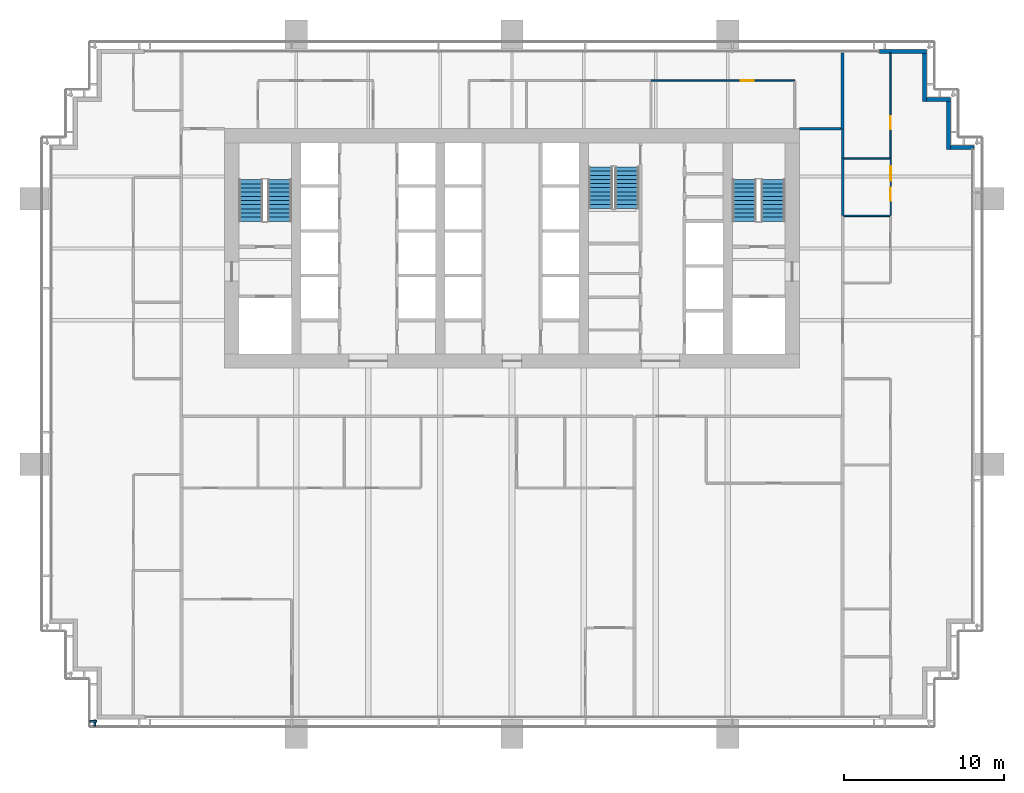
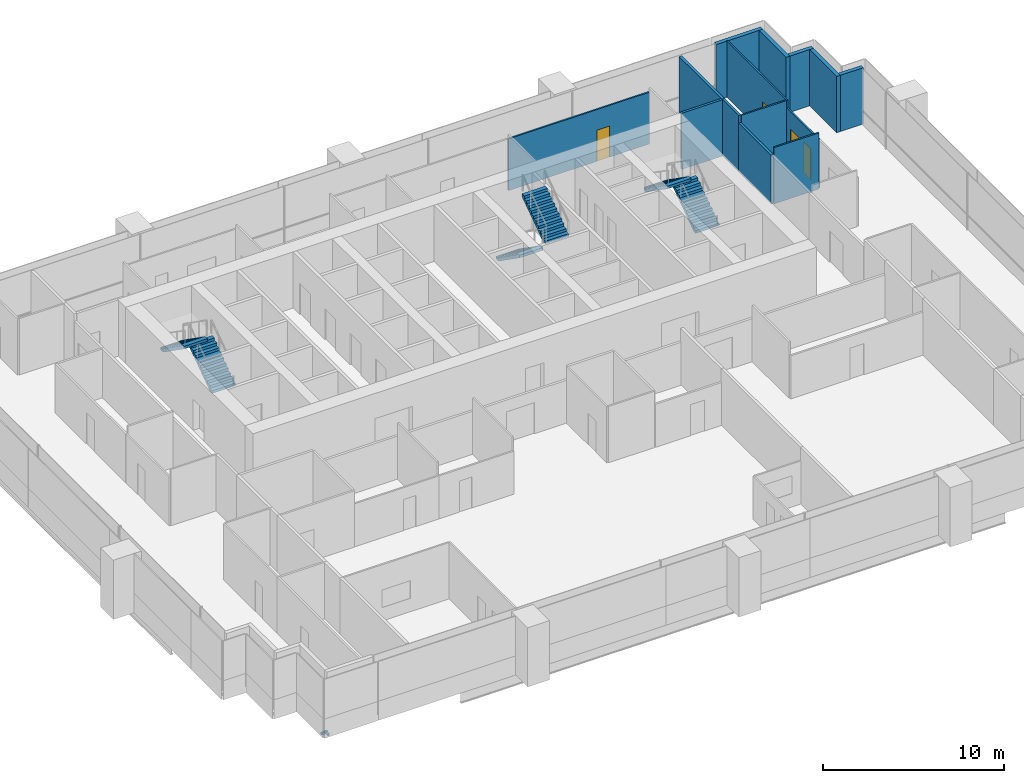
# One storey, part 14 of 18: 14 walls, 6 stair flights, 3 doors, 2 discrete accessories, 1 window, 4 openings, 3 elements without a shape of their own.
"""IFC4 building model written with IfcOpenShell, lengths in metres."""

import ifcopenshell
import ifcopenshell.guid

model = None  # the IFC model being written
_history = None  # IfcOwnerHistory: only IFC2X3 demands one
_inside = {}  # id of a spatial element -> (the spatial element, [elements in it])
_under = {}  # id of a project, library or spatial element -> (it, [spatial elements below it])
_declared = {}  # id of a project -> (the project, [libraries it declares])
_typed = {}  # id of a type object -> (the type object, [elements of that type])
_made_of = {}  # id of a material, layer set ... -> (it, [elements and type objects made of it])


def new_model(schema):
    """Start an empty IFC model of exactly this schema.

    Asked for "IFC4X3", IfcOpenShell would pick the latest addendum, in which some entities
    have other attributes; the version numbers below select the first issue.
    IFC2X3 requires an IfcOwnerHistory on every rooted entity: one is made here for all.
    """
    global model, _history
    if schema == "IFC4X3":
        model = ifcopenshell.file(schema_version=(4, 3, 0, 0))
    else:
        model = ifcopenshell.file(schema=schema)
    _inside.clear()
    _under.clear()
    _declared.clear()
    _typed.clear()
    _made_of.clear()
    _history = None
    if model.schema == "IFC2X3":
        org = make("IfcOrganization", Name="unknown")
        user = make(
            "IfcPersonAndOrganization",
            ThePerson=make("IfcPerson", FamilyName="unknown"),
            TheOrganization=org,
        )
        app = make(
            "IfcApplication",
            ApplicationDeveloper=org,
            Version="unknown",
            ApplicationFullName="unknown",
            ApplicationIdentifier="unknown",
        )
        _history = make(
            "IfcOwnerHistory",
            OwningUser=user,
            OwningApplication=app,
            ChangeAction="ADDED",
            CreationDate=0,
        )
    return model


def make(cls, **values):
    """One entity of the class cls with the attributes given. An attribute that is None is left unset."""
    return model.create_entity(
        cls, **{name: value for name, value in values.items() if value is not None}
    )


def rooted(cls, **values):
    """An entity with a GlobalId (a new one), such as an element, a storey or a relation."""
    return make(cls, GlobalId=ifcopenshell.guid.new(), OwnerHistory=_history, **values)


def si_unit(unit_type, name, prefix=None):
    """IfcSIUnit, for example si_unit("LENGTHUNIT", "METRE", prefix="MILLI")."""
    return make("IfcSIUnit", UnitType=unit_type, Prefix=prefix, Name=name)


def assignment(units):
    """IfcUnitAssignment: the units of a project."""
    return None if units is None else make("IfcUnitAssignment", Units=units)


def point(xyz):
    """IfcCartesianPoint."""
    return None if xyz is None else make("IfcCartesianPoint", Coordinates=xyz)


def direction(xyz):
    """IfcDirection."""
    return None if xyz is None else make("IfcDirection", DirectionRatios=xyz)


def frame(location, z_axis=None, x_axis=None):
    """IfcAxis2Placement3D, a coordinate frame: its origin and axes. An axis left out is left unset."""
    return make(
        "IfcAxis2Placement3D",
        Location=point(location),
        Axis=direction(z_axis),
        RefDirection=direction(x_axis),
    )


def frame_2d(location, x_axis=None):
    """IfcAxis2Placement2D, a coordinate frame in the plane: its origin and x axis."""
    return make(
        "IfcAxis2Placement2D", Location=point(location), RefDirection=direction(x_axis)
    )


def origin():
    """The frame at (0, 0, 0) with its axes left unset."""
    return frame((0.0, 0.0, 0.0))


def origin_2d():
    """The frame at (0, 0) in the plane with its x axis left unset."""
    return frame_2d((0.0, 0.0))


def place(relative_to, where):
    """IfcLocalPlacement: puts the frame where relative to a parent placement (None: the world)."""
    return make(
        "IfcLocalPlacement", PlacementRelTo=relative_to, RelativePlacement=where
    )


def context(
    kind, dimensions, precision=None, world=None, true_north=None, identifier=None
):
    """IfcGeometricRepresentationContext, for example the 3D "Model" context."""
    return make(
        "IfcGeometricRepresentationContext",
        ContextIdentifier=identifier,
        ContextType=kind,
        CoordinateSpaceDimension=dimensions,
        Precision=precision,
        WorldCoordinateSystem=world,
        TrueNorth=true_north,
    )


def subcontext(parent, identifier, kind, view, scale=None):
    """IfcGeometricRepresentationSubContext, for example "Body" below "Model"."""
    return make(
        "IfcGeometricRepresentationSubContext",
        ContextIdentifier=identifier,
        ContextType=kind,
        ParentContext=parent,
        TargetScale=scale,
        TargetView=view,
    )


def project(units=None, contexts=None):
    """IfcProject with its units and contexts."""
    return rooted(
        "IfcProject",
        Name="project",
        RepresentationContexts=contexts,
        UnitsInContext=assignment(units),
    )


def spatial(cls, under=None, at=None, **own):
    """A site, building, storey or space (cls), placed at a placement, below another one or the project."""
    s = rooted(cls, ObjectPlacement=at, **own)
    if under is not None:
        _under.setdefault(under.id(), (under, []))[1].append(s)
    return s


def polyline(points):
    """IfcPolyline through the points."""
    return make("IfcPolyline", Points=[point(p) for p in points])


def profile(cls, at=None, kind="AREA", **sizes):
    """A parametric profile (cls). Its sizes go by their IFC names, for example OverallWidth=200.0."""
    return make(cls, ProfileType=kind, Position=at, **sizes)


def rectangle(**sizes):
    """IfcRectangleProfileDef."""
    return profile("IfcRectangleProfileDef", **sizes)


def outline(outer, holes=None, kind="AREA"):
    """IfcArbitraryClosedProfileDef: a profile drawn as a closed curve; with holes, ...WithVoids."""
    if holes is None:
        return make("IfcArbitraryClosedProfileDef", ProfileType=kind, OuterCurve=outer)
    return make(
        "IfcArbitraryProfileDefWithVoids",
        ProfileType=kind,
        OuterCurve=outer,
        InnerCurves=holes,
    )


def extrude(swept, where, along, depth):
    """IfcExtrudedAreaSolid: the profile swept, set in the frame where, extruded along a direction by depth."""
    return make(
        "IfcExtrudedAreaSolid",
        SweptArea=swept,
        Position=where,
        ExtrudedDirection=direction(along),
        Depth=depth,
    )


def shape(context_of_items, identifier, shape_type, items):
    """IfcShapeRepresentation: the items that make up one representation, for example the "Body"."""
    return make(
        "IfcShapeRepresentation",
        ContextOfItems=context_of_items,
        RepresentationIdentifier=identifier,
        RepresentationType=shape_type,
        Items=items,
    )


def material(Name=None, Category=None):
    """IfcMaterial."""
    return make("IfcMaterial", Name=Name, Category=Category)


def layer(
    of_material, thickness, ventilated=None, Name=None, Category=None, Priority=None
):
    """IfcMaterialLayer: one layer of a wall or slab, of a material (None: an air gap)."""
    return make(
        "IfcMaterialLayer",
        Material=of_material,
        LayerThickness=thickness,
        IsVentilated=ventilated,
        Name=Name,
        Category=Category,
        Priority=Priority,
    )


def layer_set(layers, Name=None):
    """IfcMaterialLayerSet."""
    return make("IfcMaterialLayerSet", MaterialLayers=layers, LayerSetName=Name)


def made_of(thing, what):
    """Note that an element or type object is made of a material, layer set ...; save() writes the relation."""
    if what is not None:
        _made_of.setdefault(what.id(), (what, []))[1].append(thing)
    return thing


def type_object(cls, material=None, **own):
    """A type object (cls), such as IfcWallType, which elements share."""
    return made_of(rooted(cls, **own), material)


def element(
    cls,
    number,
    at=None,
    inside=None,
    cuts=None,
    type_object=None,
    material=None,
    context=None,
    identifier="Body",
    shape_type=None,
    held_by="IfcProductDefinitionShape",
    body=None,
    shapes=None,
    **own,
):
    """One element of the class cls, such as IfcWall. Its Tag is "e" and its number.

    at: its placement. inside: the storey or other place that contains it. cuts: it is an
    opening in that element (IfcRelVoidsElement). A single representation is given by context,
    identifier, shape_type and body (its items); several are given by shapes. held_by: the class
    of the entity that holds the representations. save() writes the other relations.
    """
    e = rooted(cls, Tag="e%d" % number, ObjectPlacement=at, **own)
    if body is not None:
        shapes = [shape(context, identifier, shape_type, body)]
    if shapes is not None:
        e.Representation = make(held_by, Representations=shapes)
    if inside is not None:
        _inside.setdefault(inside.id(), (inside, []))[1].append(e)
    if cuts is not None:
        rooted(
            "IfcRelVoidsElement", RelatingBuildingElement=cuts, RelatedOpeningElement=e
        )
    if type_object is not None:
        _typed.setdefault(type_object.id(), (type_object, []))[1].append(e)
    return made_of(e, material)


def fill(opening, filler):
    """IfcRelFillsElement: the door or window that sits in an opening."""
    return rooted(
        "IfcRelFillsElement",
        RelatingOpeningElement=opening,
        RelatedBuildingElement=filler,
    )


def aggregate(whole, parts):
    """IfcRelAggregates: a whole, such as a stair, and the parts it consists of."""
    return rooted("IfcRelAggregates", RelatingObject=whole, RelatedObjects=parts)


def save(model, path):
    """Write the relations noted so far, then the file.

    IfcRelAggregates (storeys below a building ...), IfcRelContainedInSpatialStructure (elements
    in a storey), IfcRelDefinesByType, IfcRelAssociatesMaterial and IfcRelDeclares: one each for
    every whole, place, type object, material and project.
    """
    for whole, parts in _under.values():
        aggregate(whole, parts)
    for where, things in _inside.values():
        rooted(
            "IfcRelContainedInSpatialStructure",
            RelatedElements=things,
            RelatingStructure=where,
        )
    for kind, things in _typed.values():
        rooted("IfcRelDefinesByType", RelatedObjects=things, RelatingType=kind)
    for what, things in _made_of.values():
        rooted("IfcRelAssociatesMaterial", RelatedObjects=things, RelatingMaterial=what)
    for by, libraries in _declared.values():
        rooted("IfcRelDeclares", RelatingContext=by, RelatedDefinitions=libraries)
    model.write(path)


model = new_model("IFC4")

# Units and contexts
model_context = context("Model", 3, precision=1e-05, world=origin(), true_north=direction((0.0, 1.0)))
body_context = subcontext(model_context, "Body", "Model", "MODEL_VIEW")
ifc_project = project(units=[si_unit("LENGTHUNIT", "METRE"), si_unit("AREAUNIT", "SQUARE_METRE"), si_unit("VOLUMEUNIT", "CUBIC_METRE"), si_unit("PLANEANGLEUNIT", "RADIAN"), si_unit("MASSUNIT", "GRAM", prefix="KILO")], contexts=[model_context])

# Site, building, storey
site_placement = place(None, origin())
site = spatial("IfcSite", under=ifc_project, at=site_placement, CompositionType="ELEMENT")
building_placement = place(site_placement, origin())
building = spatial("IfcBuilding", under=site, at=building_placement, Name="Rattan Terrace Tower", CompositionType="ELEMENT")
storey_placement = place(building_placement, frame((0.0, 0.0, 134.10009765625)))
storey = spatial("IfcBuildingStorey", under=building, at=storey_placement, Name="L30", CompositionType="ELEMENT", Elevation=134.10009765625)

# Walls
ifc_material_1 = material(Name="Insulated aluminium-clad stud wall", Category="aluminium")
ifc_layer_1 = layer(ifc_material_1, 0.25)
ifc_layer_set_1 = layer_set([ifc_layer_1], Name="Facade Riser Wall 250")
wall_type_1 = type_object("IfcWallType", Name="Facade Riser Wall 250", PredefinedType="SOLIDWALL", material=ifc_layer_set_1)
wall_1_placement = place(storey_placement, frame((28.909912109375, 6.330078125, 0.0), z_axis=(0.0, 0.0, 1.0), x_axis=(-1.0, 0.0, 0.0)))
element("IfcWall", 1, at=wall_1_placement, inside=storey, type_object=wall_type_1, Name="Riser wall L30-6", PredefinedType="SOLIDWALL", context=body_context, shape_type="SweptSolid", body=[
    extrude(rectangle(XDim=1.454833984375, YDim=0.25, at=frame_2d((0.7275390625, 0.0))), origin(), (0.0, 0.0, 1.0), 3.7998046875),
])
wall_2_placement = place(storey_placement, frame((27.330078125, 6.205078125, 0.0), z_axis=(0.0, 0.0, 1.0), x_axis=(0.0, 1.0, 0.0)))
element("IfcWall", 2, at=wall_2_placement, inside=storey, type_object=wall_type_1, Name="Riser wall L30-7", PredefinedType="SOLIDWALL", context=body_context, shape_type="SweptSolid", body=[
    extrude(rectangle(XDim=3.0, YDim=0.25, at=frame_2d((1.5, 0.0))), origin(), (0.0, 0.0, 1.0), 3.7998046875),
])
wall_3_placement = place(storey_placement, frame((27.455078125, 9.330078125, 0.0), z_axis=(0.0, 0.0, 1.0), x_axis=(-1.0, 0.0, 0.0)))
element("IfcWall", 3, at=wall_3_placement, inside=storey, type_object=wall_type_1, Name="Riser wall L30-8", PredefinedType="SOLIDWALL", context=body_context, shape_type="SweptSolid", body=[
    extrude(rectangle(XDim=1.5, YDim=0.25, at=frame_2d((0.75, 0.0))), origin(), (0.0, 0.0, 1.0), 3.7998046875),
])
wall_4_placement = place(storey_placement, frame((25.830078125, 9.205078125, 0.0), z_axis=(0.0, 0.0, 1.0), x_axis=(0.0, 1.0, 0.0)))
element("IfcWall", 4, at=wall_4_placement, inside=storey, type_object=wall_type_1, Name="Riser wall L30-9", PredefinedType="SOLIDWALL", context=body_context, shape_type="SweptSolid", body=[
    extrude(rectangle(XDim=3.0, YDim=0.25, at=frame_2d((1.5, 0.0))), origin(), (0.0, 0.0, 1.0), 3.7998046875),
])
wall_5_placement = place(storey_placement, frame((25.955078125, 12.330078125, 0.0), z_axis=(0.0, 0.0, 1.0), x_axis=(-1.0, 0.0, 0.0)))
element("IfcWall", 5, at=wall_5_placement, inside=storey, type_object=wall_type_1, Name="Riser wall L30-10", PredefinedType="SOLIDWALL", context=body_context, shape_type="SweptSolid", body=[
    extrude(rectangle(XDim=2.955078125, YDim=0.25, at=frame_2d((1.4775390625, 0.0))), origin(), (0.0, 0.0, 1.0), 3.7998046875),
])
ifc_material_2 = material(Name="Double steel stud acoustic partition, gypsum board, mineral wool, fire rated", Category="steel")
ifc_layer_2 = layer(ifc_material_2, 0.179931640625)
ifc_layer_set_2 = layer_set([ifc_layer_2], Name="Floors Acoustic Party Wall 180")
wall_type_2 = type_object("IfcWallType", Name="Floors Acoustic Party Wall 180", PredefinedType="PARTITIONING", material=ifc_layer_set_2)
wall_6_placement = place(storey_placement, frame((20.699951171875, 7.47998046875, 0.0), z_axis=(0.0, 0.0, 1.0), x_axis=(0.0, 1.0, 0.0)))
element("IfcWall", 6, at=wall_6_placement, inside=storey, type_object=wall_type_2, Name="pt-L30-076", PredefinedType="PARTITIONING", context=body_context, shape_type="SweptSolid", body=[
    extrude(rectangle(XDim=4.760009765625, YDim=0.179931640625, at=frame_2d((2.3798828125, 0.0))), origin(), (0.0, 0.0, 1.0), 3.7998046875),
])

# Wall, openings, door, window
ifc_material_3 = material(Name="Gypsum board partition on steel studs", Category="steel")
ifc_layer_3 = layer(ifc_material_3, 0.10009765625)
ifc_layer_set_3 = layer_set([ifc_layer_3], Name="Floors Partition 100")
wall_type_3 = type_object("IfcWallType", Name="Floors Partition 100", PredefinedType="PARTITIONING", material=ifc_layer_set_3)
wall_7_placement = place(storey_placement, frame((23.699951171875, 2.06005859375, 0.0), z_axis=(0.0, 0.0, 1.0), x_axis=(0.0, 1.0, 0.0)))
wall_7 = element("IfcWall", 7, at=wall_7_placement, inside=storey, type_object=wall_type_3, Name="pt-L30-069", PredefinedType="PARTITIONING", context=body_context, shape_type="SweptSolid", body=[
    extrude(rectangle(XDim=3.56005859375, YDim=0.10009765625, at=frame_2d((1.780029296875, 0.0))), origin(), (0.0, 0.0, 1.0), 3.2998046875),
])
opening_1_placement = place(wall_7_placement, frame((0.927978515625, 0.0, 0.0)))
opening_1 = element("IfcOpeningElement", 8, at=opening_1_placement, cuts=wall_7, Name="Opening L30-D122", PredefinedType="OPENING", context=body_context, shape_type="SweptSolid", body=[
    extrude(rectangle(XDim=0.800048828125, YDim=2.10009765625, at=frame_2d((0.39990234375, 1.050048828125))), frame((0.0, 0.060546875, 0.0), z_axis=(0.0, -1.0, 0.0), x_axis=(1.0, 0.0, 0.0)), (0.0, 0.0, 1.0), 0.12109375),
])
opening_2_placement = place(wall_7_placement, frame((2.178955078125, 0.0, 0.89990234375)))
opening_2 = element("IfcOpeningElement", 9, at=opening_2_placement, cuts=wall_7, Name="Opening L30-W104", PredefinedType="OPENING", context=body_context, shape_type="SweptSolid", body=[
    extrude(rectangle(XDim=0.89990234375, YDim=1.199951171875, at=frame_2d((0.449951171875, 0.60009765625))), frame((0.0, 0.060546875, 0.0), z_axis=(0.0, -1.0, 0.0), x_axis=(1.0, 0.0, 0.0)), (0.0, 0.0, 1.0), 0.12109375),
])
ifc_material_4 = material(Name="Solid core timber door, painted", Category="wood")
door_type = type_object("IfcDoorType", Name="Floors Store Door 800x2100", OperationType="NOTDEFINED", PredefinedType="DOOR", material=ifc_material_4)
door_1_placement = place(opening_1_placement, origin())
door_1 = element("IfcDoor", 10, at=door_1_placement, inside=storey, type_object=door_type, Name="d-L30-122", OperationType="SINGLE_SWING_LEFT", OverallHeight=2.10009765625, OverallWidth=0.800048828125, PredefinedType="DOOR", context=body_context, shape_type="SweptSolid", body=[
    extrude(rectangle(XDim=0.800048828125, YDim=2.10009765625, at=frame_2d((0.39990234375, 1.050048828125))), frame((0.0, 0.02490234375, 0.0), z_axis=(0.0, -1.0, 0.0), x_axis=(1.0, 0.0, 0.0)), (0.0, 0.0, 1.0), 0.050048828125),
])
fill(opening_1, door_1)
ifc_material_5 = material(Name="Glass, clear, fixed in aluminium frame", Category="aluminium")
window_type = type_object("IfcWindowType", Name="Interior Vision Window 900x1200", PartitioningType="SINGLE_PANEL", PredefinedType="WINDOW", material=ifc_material_5)
window_placement = place(opening_2_placement, origin())
window = element("IfcWindow", 11, at=window_placement, inside=storey, type_object=window_type, Name="w-L30-104", OverallHeight=1.199951171875, OverallWidth=0.89990234375, PartitioningType="SINGLE_PANEL", PredefinedType="WINDOW", context=body_context, shape_type="SweptSolid", body=[
    extrude(rectangle(XDim=0.89990234375, YDim=1.199951171875, at=frame_2d((0.449951171875, 0.60009765625))), frame((0.0, 0.030029296875, 0.0), z_axis=(0.0, -1.0, 0.0), x_axis=(1.0, 0.0, 0.0)), (0.0, 0.0, 1.0), 0.06005859375),
])
fill(opening_2, window)

# Wall, opening, door
wall_8_placement = place(storey_placement, frame((23.699951171875, 5.6201171875, 0.0), z_axis=(0.0, 0.0, 1.0), x_axis=(0.0, 1.0, 0.0)))
wall_8 = element("IfcWall", 12, at=wall_8_placement, inside=storey, type_object=wall_type_3, Name="pt-L30-070", PredefinedType="PARTITIONING", context=body_context, shape_type="SweptSolid", body=[
    extrude(rectangle(XDim=6.619873046875, YDim=0.10009765625, at=frame_2d((3.31005859375, 0.0))), origin(), (0.0, 0.0, 1.0), 3.7998046875),
])
opening_3_placement = place(wall_8_placement, frame((1.845947265625, 0.0, 0.0)))
opening_3 = element("IfcOpeningElement", 13, at=opening_3_placement, cuts=wall_8, Name="Opening L30-D123", PredefinedType="OPENING", context=body_context, shape_type="SweptSolid", body=[
    extrude(rectangle(XDim=0.800048828125, YDim=2.10009765625, at=frame_2d((0.39990234375, 1.050048828125))), frame((0.0, 0.060546875, 0.0), z_axis=(0.0, -1.0, 0.0), x_axis=(1.0, 0.0, 0.0)), (0.0, 0.0, 1.0), 0.12109375),
])
door_2_placement = place(opening_3_placement, origin())
door_2 = element("IfcDoor", 14, at=door_2_placement, inside=storey, type_object=door_type, Name="d-L30-123", OperationType="SINGLE_SWING_LEFT", OverallHeight=2.10009765625, OverallWidth=0.800048828125, PredefinedType="DOOR", context=body_context, shape_type="SweptSolid", body=[
    extrude(rectangle(XDim=0.800048828125, YDim=2.10009765625, at=frame_2d((0.39990234375, 1.050048828125))), frame((0.0, 0.02490234375, 0.0), z_axis=(0.0, -1.0, 0.0), x_axis=(1.0, 0.0, 0.0)), (0.0, 0.0, 1.0), 0.050048828125),
])
fill(opening_3, door_2)

# Walls
for number, where, z_axis, x_axis, name in (
    (15, (20.77490234375, 2.0400390625, 0.0), (0.0, 0.0, 1.0), (1.0, 0.0, 0.0), "pt-L30-074"),
    (16, (20.77490234375, 5.639892578125, 0.0), (0.0, 0.0, 1.0), (1.0, 0.0, 0.0), "pt-L30-075"),
):
    element("IfcWall", number, at=place(storey_placement, frame(where, z_axis=z_axis, x_axis=x_axis)), inside=storey, type_object=wall_type_3, Name=name, PredefinedType="PARTITIONING", context=body_context, shape_type="SweptSolid", body=[
        extrude(rectangle(XDim=2.875, YDim=0.10009765625, at=frame_2d((1.4375, 0.0))), origin(), (0.0, 0.0, 1.0), 3.7998046875),
    ])

# Wall, opening, door
wall_9_placement = place(storey_placement, frame((17.699951171875, 10.5, 0.0), z_axis=(0.0, 0.0, 1.0), x_axis=(-1.0, 0.0, 0.0)))
wall_9 = element("IfcWall", 17, at=wall_9_placement, inside=storey, type_object=wall_type_3, Name="pt-L30-083", PredefinedType="PARTITIONING", context=body_context, shape_type="SweptSolid", body=[
    extrude(rectangle(XDim=9.02001953125, YDim=0.10009765625, at=frame_2d((4.510009765625, 0.0))), origin(), (0.0, 0.0, 1.0), 3.5),
])
opening_4_placement = place(wall_9_placement, frame((2.56591796875, 0.0, 0.0)))
opening_4 = element("IfcOpeningElement", 18, at=opening_4_placement, cuts=wall_9, Name="Opening L30-D128", PredefinedType="OPENING", context=body_context, shape_type="SweptSolid", body=[
    extrude(rectangle(XDim=0.800048828125, YDim=2.10009765625, at=frame_2d((0.39990234375, 1.050048828125))), frame((0.0, 0.060546875, 0.0), z_axis=(0.0, -1.0, 0.0), x_axis=(1.0, 0.0, 0.0)), (0.0, 0.0, 1.0), 0.12109375),
])
door_3_placement = place(opening_4_placement, origin())
door_3 = element("IfcDoor", 19, at=door_3_placement, inside=storey, type_object=door_type, Name="d-L30-128", OperationType="SINGLE_SWING_LEFT", OverallHeight=2.10009765625, OverallWidth=0.800048828125, PredefinedType="DOOR", context=body_context, shape_type="SweptSolid", body=[
    extrude(rectangle(XDim=0.800048828125, YDim=2.10009765625, at=frame_2d((0.39990234375, 1.050048828125))), frame((0.0, 0.02490234375, 0.0), z_axis=(0.0, -1.0, 0.0), x_axis=(1.0, 0.0, 0.0)), (0.0, 0.0, 1.0), 0.050048828125),
])
fill(opening_4, door_3)

# Walls
ifc_material_6 = material(Name="Gypsum board partition on steel studs, fire rated", Category="steel")
ifc_layer_4 = layer(ifc_material_6, 0.14990234375)
ifc_layer_set_4 = layer_set([ifc_layer_4], Name="Floors Tenancy Wall 150")
wall_type_4 = type_object("IfcWallType", Name="Floors Tenancy Wall 150", PredefinedType="PARTITIONING", material=ifc_layer_set_4)
wall_10_placement = place(storey_placement, frame((20.699951171875, 5.659912109375, 0.0), z_axis=(0.0, 0.0, 1.0), x_axis=(0.0, -1.0, 0.0)))
element("IfcWall", 20, at=wall_10_placement, inside=storey, type_object=wall_type_4, Name="pt-L30-016", PredefinedType="PARTITIONING", context=body_context, shape_type="SweptSolid", body=[
    extrude(rectangle(XDim=3.599853515625, YDim=0.14990234375, at=frame_2d((1.7998046875, 0.0))), origin(), (0.0, 0.0, 1.0), 3.2998046875),
])
wall_11_placement = place(storey_placement, frame((20.700927734375, 7.47998046875, 0.0), z_axis=(0.0, 0.0, 1.0), x_axis=(0.0, -1.0, 0.0)))
element("IfcWall", 21, at=wall_11_placement, inside=storey, type_object=wall_type_4, Name="pt-L30-017", PredefinedType="PARTITIONING", context=body_context, shape_type="SweptSolid", body=[
    extrude(rectangle(XDim=1.820068359375, YDim=0.14990234375, at=frame_2d((0.91015625, 0.0))), origin(), (0.0, 0.0, 1.0), 3.7998046875),
])
wall_12_placement = place(storey_placement, frame((18.0, 7.4990234375, 0.0), z_axis=(0.0, 0.0, 1.0), x_axis=(1.0, 0.0, 0.0)))
element("IfcWall", 22, at=wall_12_placement, inside=storey, type_object=wall_type_4, Name="pt-L30-019", PredefinedType="PARTITIONING", context=body_context, shape_type="SweptSolid", body=[
    extrude(rectangle(XDim=2.610107421875, YDim=0.14990234375, at=frame_2d((1.30517578125, 0.0))), origin(), (0.0, 0.0, 1.0), 3.7998046875),
])

# Stair, stair flights
ifc_material_7 = material(Name="Concrete C40/50", Category="concrete")
stair_type = type_object("IfcStairType", Name="Core exit stair 1500", PredefinedType="HALF_TURN_STAIR", material=ifc_material_7)
stair_1_placement = place(storey_placement, origin())
stair_1 = element("IfcStair", 23, at=stair_1_placement, inside=storey, type_object=stair_type, Name="L30 exit stair 1", PredefinedType="HALF_TURN_STAIR")
ifc_material_8 = material(Name="Concrete C40/50", Category="concrete")
stair_flight_type = type_object("IfcStairFlightType", Name="Core exit stair flight 1500", PredefinedType="STRAIGHT", material=ifc_material_8)
stair_flight_1_placement = place(storey_placement, frame((-14.550048828125, 1.699951171875, 0.0), z_axis=(0.0, 0.0, 1.0), x_axis=(0.0, 1.0, 0.0)))
stair_flight_1 = element("IfcStairFlight", 24, at=stair_flight_1_placement, type_object=stair_flight_type, Name="S1 flight 1", NumberOfRisers=11, NumberOfTreads=10, PredefinedType="STRAIGHT", RiserHeight=0.181818182, TreadLength=0.26, context=body_context, shape_type="SweptSolid", body=[
    extrude(outline(polyline([(0.0, 0.0), (0.0, 0.181884765625), (0.260009765625, 0.181884765625), (0.260009765625, 0.363525390625), (0.52001953125, 0.363525390625), (0.52001953125, 0.54541015625), (0.780029296875, 0.54541015625), (0.780029296875, 0.727294921875), (1.0400390625, 0.727294921875), (1.0400390625, 0.9091796875), (1.300048828125, 0.9091796875), (1.300048828125, 1.0908203125), (1.56005859375, 1.0908203125), (1.56005859375, 1.272705078125), (1.820068359375, 1.272705078125), (1.820068359375, 1.45458984375), (2.080078125, 1.45458984375), (2.080078125, 1.636474609375), (2.340087890625, 1.636474609375), (2.340087890625, 1.818115234375), (2.60009765625, 1.818115234375), (2.60009765625, 2.0), (2.60009765625, 1.63525390625), (0.261474609375, 0.0), (0.0, 0.0)])), frame((0.0, 0.75, 0.0), z_axis=(0.0, -1.0, 0.0), x_axis=(1.0, 0.0, 0.0)), (0.0, 0.0, 1.0), 1.5),
])
stair_flight_2_placement = place(storey_placement, frame((-16.35009765625, 4.300048828125, 2.0), z_axis=(0.0, 0.0, 1.0), x_axis=(0.0, -1.0, 0.0)))
stair_flight_2 = element("IfcStairFlight", 25, at=stair_flight_2_placement, type_object=stair_flight_type, Name="S1 flight 2", NumberOfRisers=11, NumberOfTreads=10, PredefinedType="STRAIGHT", RiserHeight=0.181818182, TreadLength=0.26, context=body_context, shape_type="SweptSolid", body=[
    extrude(outline(polyline([(0.0, 0.0), (0.0, 0.181884765625), (0.260009765625, 0.181884765625), (0.260009765625, 0.363525390625), (0.52001953125, 0.363525390625), (0.52001953125, 0.54541015625), (0.780029296875, 0.54541015625), (0.780029296875, 0.727294921875), (1.0400390625, 0.727294921875), (1.0400390625, 0.9091796875), (1.300048828125, 0.9091796875), (1.300048828125, 1.0908203125), (1.56005859375, 1.0908203125), (1.56005859375, 1.272705078125), (1.820068359375, 1.272705078125), (1.820068359375, 1.45458984375), (2.080078125, 1.45458984375), (2.080078125, 1.636474609375), (2.340087890625, 1.636474609375), (2.340087890625, 1.818115234375), (2.60009765625, 1.818115234375), (2.60009765625, 2.0), (2.60009765625, 1.63525390625), (0.261474609375, 0.0), (0.0, 0.0)])), frame((0.0, 0.75, 0.0), z_axis=(0.0, -1.0, 0.0), x_axis=(1.0, 0.0, 0.0)), (0.0, 0.0, 1.0), 1.5),
])
aggregate(stair_1, [stair_flight_1, stair_flight_2])

stair_2_placement = place(storey_placement, origin())
stair_2 = element("IfcStair", 26, at=stair_2_placement, inside=storey, type_object=stair_type, Name="L30 exit stair 2", PredefinedType="HALF_TURN_STAIR")
stair_flight_3_placement = place(storey_placement, frame((16.35009765625, 1.699951171875, 0.0), z_axis=(0.0, 0.0, 1.0), x_axis=(0.0, 1.0, 0.0)))
stair_flight_3 = element("IfcStairFlight", 27, at=stair_flight_3_placement, type_object=stair_flight_type, Name="S2 flight 1", NumberOfRisers=11, NumberOfTreads=10, PredefinedType="STRAIGHT", RiserHeight=0.181818182, TreadLength=0.26, context=body_context, shape_type="SweptSolid", body=[
    extrude(outline(polyline([(0.0, 0.0), (0.0, 0.181884765625), (0.260009765625, 0.181884765625), (0.260009765625, 0.363525390625), (0.52001953125, 0.363525390625), (0.52001953125, 0.54541015625), (0.780029296875, 0.54541015625), (0.780029296875, 0.727294921875), (1.0400390625, 0.727294921875), (1.0400390625, 0.9091796875), (1.300048828125, 0.9091796875), (1.300048828125, 1.0908203125), (1.56005859375, 1.0908203125), (1.56005859375, 1.272705078125), (1.820068359375, 1.272705078125), (1.820068359375, 1.45458984375), (2.080078125, 1.45458984375), (2.080078125, 1.636474609375), (2.340087890625, 1.636474609375), (2.340087890625, 1.818115234375), (2.60009765625, 1.818115234375), (2.60009765625, 2.0), (2.60009765625, 1.63525390625), (0.261474609375, 0.0), (0.0, 0.0)])), frame((0.0, 0.75, 0.0), z_axis=(0.0, -1.0, 0.0), x_axis=(1.0, 0.0, 0.0)), (0.0, 0.0, 1.0), 1.5),
])
stair_flight_4_placement = place(storey_placement, frame((14.550048828125, 4.300048828125, 2.0), z_axis=(0.0, 0.0, 1.0), x_axis=(0.0, -1.0, 0.0)))
stair_flight_4 = element("IfcStairFlight", 28, at=stair_flight_4_placement, type_object=stair_flight_type, Name="S2 flight 2", NumberOfRisers=11, NumberOfTreads=10, PredefinedType="STRAIGHT", RiserHeight=0.181818182, TreadLength=0.26, context=body_context, shape_type="SweptSolid", body=[
    extrude(outline(polyline([(0.0, 0.0), (0.0, 0.181884765625), (0.260009765625, 0.181884765625), (0.260009765625, 0.363525390625), (0.52001953125, 0.363525390625), (0.52001953125, 0.54541015625), (0.780029296875, 0.54541015625), (0.780029296875, 0.727294921875), (1.0400390625, 0.727294921875), (1.0400390625, 0.9091796875), (1.300048828125, 0.9091796875), (1.300048828125, 1.0908203125), (1.56005859375, 1.0908203125), (1.56005859375, 1.272705078125), (1.820068359375, 1.272705078125), (1.820068359375, 1.45458984375), (2.080078125, 1.45458984375), (2.080078125, 1.636474609375), (2.340087890625, 1.636474609375), (2.340087890625, 1.818115234375), (2.60009765625, 1.818115234375), (2.60009765625, 2.0), (2.60009765625, 1.63525390625), (0.261474609375, 0.0), (0.0, 0.0)])), frame((0.0, 0.75, 0.0), z_axis=(0.0, -1.0, 0.0), x_axis=(1.0, 0.0, 0.0)), (0.0, 0.0, 1.0), 1.5),
])
aggregate(stair_2, [stair_flight_3, stair_flight_4])

stair_3_placement = place(storey_placement, origin())
stair_3 = element("IfcStair", 29, at=stair_3_placement, inside=storey, type_object=stair_type, Name="L30 exit stair 3", PredefinedType="HALF_TURN_STAIR")
stair_flight_5_placement = place(storey_placement, frame((5.550048828125, 5.10009765625, 0.0), z_axis=(0.0, 0.0, 1.0), x_axis=(0.0, -1.0, 0.0)))
stair_flight_5 = element("IfcStairFlight", 30, at=stair_flight_5_placement, type_object=stair_flight_type, Name="S3 flight 1", NumberOfRisers=11, NumberOfTreads=10, PredefinedType="STRAIGHT", RiserHeight=0.181818182, TreadLength=0.26, context=body_context, shape_type="SweptSolid", body=[
    extrude(outline(polyline([(0.0, 0.0), (0.0, 0.181884765625), (0.260009765625, 0.181884765625), (0.260009765625, 0.363525390625), (0.52001953125, 0.363525390625), (0.52001953125, 0.54541015625), (0.780029296875, 0.54541015625), (0.780029296875, 0.727294921875), (1.0400390625, 0.727294921875), (1.0400390625, 0.9091796875), (1.300048828125, 0.9091796875), (1.300048828125, 1.0908203125), (1.56005859375, 1.0908203125), (1.56005859375, 1.272705078125), (1.820068359375, 1.272705078125), (1.820068359375, 1.45458984375), (2.080078125, 1.45458984375), (2.080078125, 1.636474609375), (2.340087890625, 1.636474609375), (2.340087890625, 1.818115234375), (2.60009765625, 1.818115234375), (2.60009765625, 2.0), (2.60009765625, 1.63525390625), (0.261474609375, 0.0), (0.0, 0.0)])), frame((0.0, 0.75, 0.0), z_axis=(0.0, -1.0, 0.0), x_axis=(1.0, 0.0, 0.0)), (0.0, 0.0, 1.0), 1.5),
])
stair_flight_6_placement = place(storey_placement, frame((7.199951171875, 2.5, 2.0), z_axis=(0.0, 0.0, 1.0), x_axis=(0.0, 1.0, 0.0)))
stair_flight_6 = element("IfcStairFlight", 31, at=stair_flight_6_placement, type_object=stair_flight_type, Name="S3 flight 2", NumberOfRisers=11, NumberOfTreads=10, PredefinedType="STRAIGHT", RiserHeight=0.181818182, TreadLength=0.26, context=body_context, shape_type="SweptSolid", body=[
    extrude(outline(polyline([(0.0, 0.0), (0.0, 0.181884765625), (0.260009765625, 0.181884765625), (0.260009765625, 0.363525390625), (0.52001953125, 0.363525390625), (0.52001953125, 0.54541015625), (0.780029296875, 0.54541015625), (0.780029296875, 0.727294921875), (1.0400390625, 0.727294921875), (1.0400390625, 0.9091796875), (1.300048828125, 0.9091796875), (1.300048828125, 1.0908203125), (1.56005859375, 1.0908203125), (1.56005859375, 1.272705078125), (1.820068359375, 1.272705078125), (1.820068359375, 1.45458984375), (2.080078125, 1.45458984375), (2.080078125, 1.636474609375), (2.340087890625, 1.636474609375), (2.340087890625, 1.818115234375), (2.60009765625, 1.818115234375), (2.60009765625, 2.0), (2.60009765625, 1.63525390625), (0.261474609375, 0.0), (0.0, 0.0)])), frame((0.0, 0.75, 0.0), z_axis=(0.0, -1.0, 0.0), x_axis=(1.0, 0.0, 0.0)), (0.0, 0.0, 1.0), 1.5),
])
aggregate(stair_3, [stair_flight_5, stair_flight_6])

# Discrete accessories
for number, where, z_axis, x_axis, name in (
    (32, (-26.2099609375, -29.610107421875, -0.169921875), (0.0, 0.0, 1.0), (0.0, -1.0, 0.0), "Panel bracket L30-54"),
    (33, (-26.110107421875, -29.7099609375, -0.169921875), (0.0, 0.0, 1.0), (1.0, 0.0, 0.0), "Panel bracket L30-55"),
):
    element("IfcDiscreteAccessory", number, at=place(storey_placement, frame(where, z_axis=z_axis, x_axis=x_axis)), inside=storey, Name=name, PredefinedType="BRACKET", context=body_context, shape_type="SweptSolid", body=[
        extrude(rectangle(XDim=0.1201171875, YDim=0.419921875, at=origin_2d()), origin(), (0.0, 0.0, 1.0), 0.139892578125),
    ])

save(model, "model.ifc")
